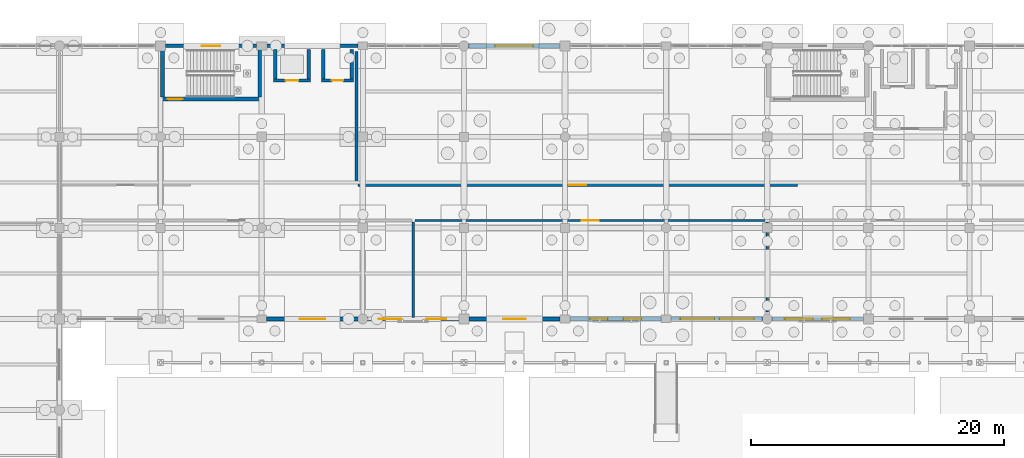
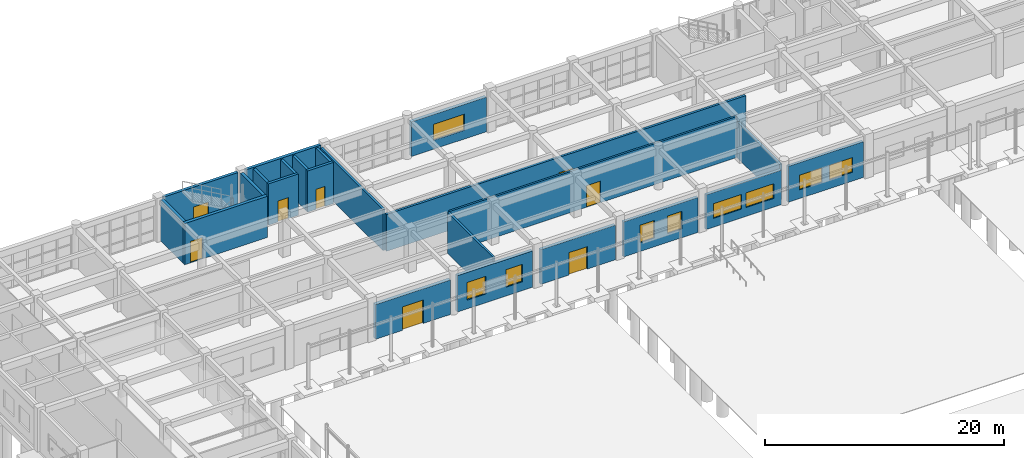
# One storey, part 136 of 166: 23 walls, 9 windows, 8 doors, 17 openings.
"""IFC4 building model written with IfcOpenShell, lengths in metres."""

from ifc_helpers import new_model, si_unit, direction, frame, frame_2d, origin, place, context, subcontext, project, spatial, rectangle, extrude, material, layer, layer_set, type_object, element, fill, save


model = new_model("IFC4")

# Units and contexts
model_context = context("Model", 3, precision=1e-05, world=origin(), true_north=direction((0.0, 1.0)))
body_context = subcontext(model_context, "Body", "Model", "MODEL_VIEW")
ifc_project = project(units=[si_unit("LENGTHUNIT", "METRE"), si_unit("AREAUNIT", "SQUARE_METRE"), si_unit("VOLUMEUNIT", "CUBIC_METRE"), si_unit("PLANEANGLEUNIT", "RADIAN"), si_unit("MASSUNIT", "GRAM", prefix="KILO")], contexts=[model_context])

# Site, building, storey
site_placement = place(None, origin())
site = spatial("IfcSite", under=ifc_project, at=site_placement, CompositionType="ELEMENT")
building_placement = place(site_placement, origin())
building = spatial("IfcBuilding", under=site, at=building_placement, Name="Kharva Crest Polytechnic", CompositionType="ELEMENT")
storey_placement = place(building_placement, origin())
storey = spatial("IfcBuildingStorey", under=building, at=storey_placement, Name="L00", CompositionType="ELEMENT", Elevation=0.0)

# Wall, opening, door
ifc_material_1 = material(Name="Concrete C40/50", Category="concrete")
ifc_layer_1 = layer(ifc_material_1, 0.300048828125, Name="Concrete C40/50")
ifc_layer_set_1 = layer_set([ifc_layer_1], Name="Concrete C40/50")
wall_type_1 = type_object("IfcWallType", Name="WL-CORE-CW2-300", PredefinedType="SHEAR", material=ifc_layer_set_1)
wall_1_placement = place(storey_placement, frame((56.0, 117.7900390625, 0.0), z_axis=(0.0, 0.0, 1.0), x_axis=(1.0, 0.0, 0.0)))
wall_1 = element("IfcWall", 1, at=wall_1_placement, inside=storey, type_object=wall_type_1, Name="L00 North-West Lab Core C3 South Shear Wall", PredefinedType="SHEAR", context=body_context, shape_type="SweptSolid", body=[
    extrude(rectangle(XDim=8.0, YDim=0.300048828125, at=frame_2d((4.0, 0.0))), origin(), (0.0, 0.0, 1.0), 4.219970703125),
])
opening_1_placement = place(wall_1_placement, frame((0.550048828125, 0.0, 0.0)))
opening_1 = element("IfcOpeningElement", 2, at=opening_1_placement, cuts=wall_1, Name="Opening FD1", PredefinedType="OPENING", context=body_context, shape_type="SweptSolid", body=[
    extrude(rectangle(XDim=1.199951171875, YDim=2.199951171875, at=frame_2d((0.60009765625, 1.10009765625))), frame((0.0, 0.159912109375, 0.0), z_axis=(0.0, -1.0, 0.0), x_axis=(1.0, 0.0, 0.0)), (0.0, 0.0, 1.0), 0.320068359375),
])
ifc_material_2 = material(Name="Teak timber", Category="wood")
door_type_1 = type_object("IfcDoorType", Name="DR-STAIR-1200X2200", OperationType="NOTDEFINED", PredefinedType="DOOR", material=ifc_material_2)
door_1_placement = place(opening_1_placement, origin())
door_1 = element("IfcDoor", 3, at=door_1_placement, inside=storey, type_object=door_type_1, Name="L00 ST-03 Stair Door", OperationType="SINGLE_SWING_LEFT", OverallHeight=2.199951171875, OverallWidth=1.199951171875, PredefinedType="DOOR", context=body_context, shape_type="SweptSolid", body=[
    extrude(rectangle(XDim=1.199951171875, YDim=2.199951171875, at=frame_2d((0.60009765625, 1.10009765625))), frame((0.0, 0.02490234375, 0.0), z_axis=(0.0, -1.0, 0.0), x_axis=(1.0, 0.0, 0.0)), (0.0, 0.0, 1.0), 0.050048828125),
])
fill(opening_1, door_1)

# Walls
for number, where, z_axis, x_axis, name in (
    (4, (56.14990234375, 117.93994140625, 0.0), (0.0, 0.0, 1.0), (0.0, 1.0, 0.0), "L00 North-West Lab Core C3 West Shear Wall"),
    (5, (63.85009765625, 117.93994140625, 0.0), (0.0, 0.0, 1.0), (0.0, 1.0, 0.0), "L00 North-West Lab Core C3 East Shear Wall"),
):
    element("IfcWall", number, at=place(storey_placement, frame(where, z_axis=z_axis, x_axis=x_axis)), inside=storey, type_object=wall_type_1, Name=name, PredefinedType="SHEAR", context=body_context, shape_type="SweptSolid", body=[
        extrude(rectangle(XDim=3.760009765625, YDim=0.300048828125, at=frame_2d((1.8798828125, 0.0))), origin(), (0.0, 0.0, 1.0), 4.219970703125),
    ])

# Wall, openings, windows
ifc_material_3 = material(Name="Kiln brick masonry", Category="masonry")
ifc_layer_2 = layer(ifc_material_3, 0.260009765625, Name="Kiln brick masonry")
ifc_layer_set_2 = layer_set([ifc_layer_2], Name="Kiln brick masonry")
wall_type_2 = type_object("IfcWallType", Name="WL-EXT-BRK-260", PredefinedType="SOLIDWALL", material=ifc_layer_set_2)
wall_2_placement = place(storey_placement, frame((104.3359375, 100.39990234375, 0.0), z_axis=(0.0, 0.0, 1.0), x_axis=(1.0, 0.0, 0.0)))
wall_2 = element("IfcWall", 6, at=wall_2_placement, inside=storey, type_object=wall_type_2, Name="L00 Exterior Brick Wall 87", PredefinedType="SOLIDWALL", context=body_context, shape_type="SweptSolid", body=[
    extrude(rectangle(XDim=7.26904296875, YDim=0.260009765625, at=frame_2d((3.634521484375, 0.0))), origin(), (0.0, 0.0, 1.0), 3.669921875),
])
opening_2_placement = place(wall_2_placement, frame((1.06298828125, 0.0, 0.89990234375)))
opening_2 = element("IfcOpeningElement", 7, at=opening_2_placement, cuts=wall_2, Name="Opening W11", PredefinedType="OPENING", context=body_context, shape_type="SweptSolid", body=[
    extrude(rectangle(XDim=2.199951171875, YDim=1.5, at=frame_2d((1.10009765625, 0.75))), frame((0.0, 0.139892578125, 0.0), z_axis=(0.0, -1.0, 0.0), x_axis=(1.0, 0.0, 0.0)), (0.0, 0.0, 1.0), 0.280029296875),
])
opening_3_placement = place(wall_2_placement, frame((4.006103515625, 0.0, 0.89990234375)))
opening_3 = element("IfcOpeningElement", 8, at=opening_3_placement, cuts=wall_2, Name="Opening W11", PredefinedType="OPENING", context=body_context, shape_type="SweptSolid", body=[
    extrude(rectangle(XDim=2.199951171875, YDim=1.5, at=frame_2d((1.10009765625, 0.75))), frame((0.0, 0.139892578125, 0.0), z_axis=(0.0, -1.0, 0.0), x_axis=(1.0, 0.0, 0.0)), (0.0, 0.0, 1.0), 0.280029296875),
])
ifc_material_4 = material(Name="Anodised aluminium", Category="aluminium")
window_type_1 = type_object("IfcWindowType", Name="WIN-ALU-2200X1500", PartitioningType="SINGLE_PANEL", PredefinedType="WINDOW", material=ifc_material_4)
window_1_placement = place(opening_2_placement, origin())
window_1 = element("IfcWindow", 9, at=window_1_placement, inside=storey, type_object=window_type_1, Name="L00 Exterior Window 106", OverallHeight=1.5, OverallWidth=2.199951171875, PartitioningType="SINGLE_PANEL", PredefinedType="WINDOW", context=body_context, shape_type="SweptSolid", body=[
    extrude(rectangle(XDim=2.199951171875, YDim=1.5, at=frame_2d((1.10009765625, 0.75))), frame((0.0, 0.030029296875, 0.0), z_axis=(0.0, -1.0, 0.0), x_axis=(1.0, 0.0, 0.0)), (0.0, 0.0, 1.0), 0.06005859375),
])
fill(opening_2, window_1)
window_2_placement = place(opening_3_placement, origin())
window_2 = element("IfcWindow", 10, at=window_2_placement, inside=storey, type_object=window_type_1, Name="L00 Exterior Window 107", OverallHeight=1.5, OverallWidth=2.199951171875, PartitioningType="SINGLE_PANEL", PredefinedType="WINDOW", context=body_context, shape_type="SweptSolid", body=[
    extrude(rectangle(XDim=2.199951171875, YDim=1.5, at=frame_2d((1.10009765625, 0.75))), frame((0.0, 0.030029296875, 0.0), z_axis=(0.0, -1.0, 0.0), x_axis=(1.0, 0.0, 0.0)), (0.0, 0.0, 1.0), 0.06005859375),
])
fill(opening_3, window_2)

ifc_layer_3 = layer(ifc_material_3, 0.27490234375, Name="Kiln brick masonry")
ifc_layer_set_3 = layer_set([ifc_layer_3], Name="Kiln brick masonry")
wall_type_3 = type_object("IfcWallType", Name="WL-EXT-BRK-275", PredefinedType="SOLIDWALL", material=ifc_layer_set_3)
wall_3_placement = place(storey_placement, frame((96.385009765625, 100.39990234375, 0.0), z_axis=(0.0, 0.0, 1.0), x_axis=(1.0, 0.0, 0.0)))
wall_3 = element("IfcWall", 11, at=wall_3_placement, inside=storey, type_object=wall_type_3, Name="L00 Exterior Brick Wall 86", PredefinedType="SOLIDWALL", context=body_context, shape_type="SweptSolid", body=[
    extrude(rectangle(XDim=7.279052734375, YDim=0.27490234375, at=frame_2d((3.6396484375, 0.0))), origin(), (0.0, 0.0, 1.0), 3.5400390625),
])
opening_4_placement = place(wall_3_placement, frame((0.73291015625, 0.0, 0.89990234375)))
opening_4 = element("IfcOpeningElement", 12, at=opening_4_placement, cuts=wall_3, Name="Opening W09", PredefinedType="OPENING", context=body_context, shape_type="SweptSolid", body=[
    extrude(rectangle(XDim=2.699951171875, YDim=1.5, at=frame_2d((1.35009765625, 0.75))), frame((0.0, 0.1474609375, 0.0), z_axis=(0.0, -1.0, 0.0), x_axis=(1.0, 0.0, 0.0)), (0.0, 0.0, 1.0), 0.294921875),
])
opening_5_placement = place(wall_3_placement, frame((3.845947265625, 0.0, 0.89990234375)))
opening_5 = element("IfcOpeningElement", 13, at=opening_5_placement, cuts=wall_3, Name="Opening W09", PredefinedType="OPENING", context=body_context, shape_type="SweptSolid", body=[
    extrude(rectangle(XDim=2.699951171875, YDim=1.5, at=frame_2d((1.35009765625, 0.75))), frame((0.0, 0.1474609375, 0.0), z_axis=(0.0, -1.0, 0.0), x_axis=(1.0, 0.0, 0.0)), (0.0, 0.0, 1.0), 0.294921875),
])
window_type_2 = type_object("IfcWindowType", Name="WIN-ALU-2700X1500", PartitioningType="SINGLE_PANEL", PredefinedType="WINDOW", material=ifc_material_4)
window_3_placement = place(opening_4_placement, origin())
window_3 = element("IfcWindow", 14, at=window_3_placement, inside=storey, type_object=window_type_2, Name="L00 Exterior Window 104", OverallHeight=1.5, OverallWidth=2.699951171875, PartitioningType="SINGLE_PANEL", PredefinedType="WINDOW", context=body_context, shape_type="SweptSolid", body=[
    extrude(rectangle(XDim=2.699951171875, YDim=1.5, at=frame_2d((1.35009765625, 0.75))), frame((0.0, 0.030029296875, 0.0), z_axis=(0.0, -1.0, 0.0), x_axis=(1.0, 0.0, 0.0)), (0.0, 0.0, 1.0), 0.06005859375),
])
fill(opening_4, window_3)
window_4_placement = place(opening_5_placement, origin())
window_4 = element("IfcWindow", 15, at=window_4_placement, inside=storey, type_object=window_type_2, Name="L00 Exterior Window 105", OverallHeight=1.5, OverallWidth=2.699951171875, PartitioningType="SINGLE_PANEL", PredefinedType="WINDOW", context=body_context, shape_type="SweptSolid", body=[
    extrude(rectangle(XDim=2.699951171875, YDim=1.5, at=frame_2d((1.35009765625, 0.75))), frame((0.0, 0.030029296875, 0.0), z_axis=(0.0, -1.0, 0.0), x_axis=(1.0, 0.0, 0.0)), (0.0, 0.0, 1.0), 0.06005859375),
])
fill(opening_5, window_4)

# Wall, opening, door
wall_4_placement = place(storey_placement, frame((63.60498046875, 122.0, 0.0), z_axis=(0.0, 0.0, 1.0), x_axis=(-1.0, 0.0, 0.0)))
wall_4 = element("IfcWall", 16, at=wall_4_placement, inside=storey, type_object=wall_type_3, Name="L00 Exterior Brick Wall 116", PredefinedType="SOLIDWALL", context=body_context, shape_type="SweptSolid", body=[
    extrude(rectangle(XDim=7.2099609375, YDim=0.27490234375, at=frame_2d((3.60498046875, 0.0))), origin(), (0.0, 0.0, 1.0), 4.219970703125),
])
opening_6_placement = place(wall_4_placement, frame((2.8798828125, 0.0, 0.0)))
opening_6 = element("IfcOpeningElement", 17, at=opening_6_placement, cuts=wall_4, Name="Opening ED5", PredefinedType="OPENING", context=body_context, shape_type="SweptSolid", body=[
    extrude(rectangle(XDim=1.449951171875, YDim=2.199951171875, at=frame_2d((0.72509765625, 1.10009765625))), frame((0.0, 0.1474609375, 0.0), z_axis=(0.0, -1.0, 0.0), x_axis=(1.0, 0.0, 0.0)), (0.0, 0.0, 1.0), 0.294921875),
])
door_type_2 = type_object("IfcDoorType", Name="DR-EXT-ESC-1450X2200", OperationType="NOTDEFINED", PredefinedType="DOOR", material=ifc_material_4)
door_2_placement = place(opening_6_placement, frame((1.449951171875, 0.0, 0.0), z_axis=(0.0, 0.0, 1.0), x_axis=(-1.0, 0.0, 0.0)))
door_2 = element("IfcDoor", 18, at=door_2_placement, inside=storey, type_object=door_type_2, Name="L00 Core C3 Final Exit Door", OperationType="SINGLE_SWING_LEFT", OverallHeight=2.199951171875, OverallWidth=1.449951171875, PredefinedType="DOOR", context=body_context, shape_type="SweptSolid", body=[
    extrude(rectangle(XDim=1.449951171875, YDim=2.199951171875, at=frame_2d((0.72509765625, 1.10009765625))), frame((0.0, 0.02490234375, 0.0), z_axis=(0.0, -1.0, 0.0), x_axis=(1.0, 0.0, 0.0)), (0.0, 0.0, 1.0), 0.050048828125),
])
fill(opening_6, door_2)

# Wall, openings, windows
ifc_layer_4 = layer(ifc_material_3, 0.2900390625, Name="Kiln brick masonry")
ifc_layer_set_4 = layer_set([ifc_layer_4], Name="Kiln brick masonry")
wall_type_4 = type_object("IfcWallType", Name="WL-EXT-BRK-290", PredefinedType="SOLIDWALL", material=ifc_layer_set_4)
wall_5_placement = place(storey_placement, frame((88.39501953125, 100.39990234375, 0.0), z_axis=(0.0, 0.0, 1.0), x_axis=(1.0, 0.0, 0.0)))
wall_5 = element("IfcWall", 19, at=wall_5_placement, inside=storey, type_object=wall_type_4, Name="L00 Exterior Brick Wall 85", PredefinedType="SOLIDWALL", context=body_context, shape_type="SweptSolid", body=[
    extrude(rectangle(XDim=7.219970703125, YDim=0.2900390625, at=frame_2d((3.60986328125, 0.0))), origin(), (0.0, 0.0, 1.0), 3.570068359375),
])
opening_7_placement = place(wall_5_placement, frame((1.580078125, 0.0, 0.89990234375)))
opening_7 = element("IfcOpeningElement", 20, at=opening_7_placement, cuts=wall_5, Name="Opening W07", PredefinedType="OPENING", context=body_context, shape_type="SweptSolid", body=[
    extrude(rectangle(XDim=1.39990234375, YDim=1.800048828125, at=frame_2d((0.699951171875, 0.89990234375))), frame((0.0, 0.155029296875, 0.0), z_axis=(0.0, -1.0, 0.0), x_axis=(1.0, 0.0, 0.0)), (0.0, 0.0, 1.0), 0.31005859375),
])
opening_8_placement = place(wall_5_placement, frame((4.239990234375, 0.0, 0.89990234375)))
opening_8 = element("IfcOpeningElement", 21, at=opening_8_placement, cuts=wall_5, Name="Opening W07", PredefinedType="OPENING", context=body_context, shape_type="SweptSolid", body=[
    extrude(rectangle(XDim=1.39990234375, YDim=1.800048828125, at=frame_2d((0.699951171875, 0.89990234375))), frame((0.0, 0.155029296875, 0.0), z_axis=(0.0, -1.0, 0.0), x_axis=(1.0, 0.0, 0.0)), (0.0, 0.0, 1.0), 0.31005859375),
])
window_type_3 = type_object("IfcWindowType", Name="WIN-ALU-1400X1800", PartitioningType="SINGLE_PANEL", PredefinedType="WINDOW", material=ifc_material_4)
window_5_placement = place(opening_7_placement, origin())
window_5 = element("IfcWindow", 22, at=window_5_placement, inside=storey, type_object=window_type_3, Name="L00 Exterior Window 102", OverallHeight=1.800048828125, OverallWidth=1.39990234375, PartitioningType="SINGLE_PANEL", PredefinedType="WINDOW", context=body_context, shape_type="SweptSolid", body=[
    extrude(rectangle(XDim=1.39990234375, YDim=1.800048828125, at=frame_2d((0.699951171875, 0.89990234375))), frame((0.0, 0.030029296875, 0.0), z_axis=(0.0, -1.0, 0.0), x_axis=(1.0, 0.0, 0.0)), (0.0, 0.0, 1.0), 0.06005859375),
])
fill(opening_7, window_5)
window_6_placement = place(opening_8_placement, origin())
window_6 = element("IfcWindow", 23, at=window_6_placement, inside=storey, type_object=window_type_3, Name="L00 Exterior Window 103", OverallHeight=1.800048828125, OverallWidth=1.39990234375, PartitioningType="SINGLE_PANEL", PredefinedType="WINDOW", context=body_context, shape_type="SweptSolid", body=[
    extrude(rectangle(XDim=1.39990234375, YDim=1.800048828125, at=frame_2d((0.699951171875, 0.89990234375))), frame((0.0, 0.030029296875, 0.0), z_axis=(0.0, -1.0, 0.0), x_axis=(1.0, 0.0, 0.0)), (0.0, 0.0, 1.0), 0.06005859375),
])
fill(opening_8, window_6)

# Wall
wall_6_placement = place(storey_placement, frame((71.614990234375, 122.0, 0.0), z_axis=(0.0, 0.0, 1.0), x_axis=(-1.0, 0.0, 0.0)))
element("IfcWall", 24, at=wall_6_placement, inside=storey, type_object=wall_type_4, Name="L00 Exterior Brick Wall 115", PredefinedType="SOLIDWALL", context=body_context, shape_type="SweptSolid", body=[
    extrude(rectangle(XDim=7.219970703125, YDim=0.2900390625, at=frame_2d((3.60986328125, 0.0))), origin(), (0.0, 0.0, 1.0), 4.219970703125),
])

# Wall, opening, door
ifc_layer_5 = layer(ifc_material_3, 0.304931640625, Name="Kiln brick masonry")
ifc_layer_set_5 = layer_set([ifc_layer_5], Name="Kiln brick masonry")
wall_type_5 = type_object("IfcWallType", Name="WL-EXT-BRK-305", PredefinedType="SOLIDWALL", material=ifc_layer_set_5)
wall_7_placement = place(storey_placement, frame((80.39501953125, 100.39990234375, 0.0), z_axis=(0.0, 0.0, 1.0), x_axis=(1.0, 0.0, 0.0)))
wall_7 = element("IfcWall", 25, at=wall_7_placement, inside=storey, type_object=wall_type_5, Name="L00 Exterior Brick Wall 84", PredefinedType="SOLIDWALL", context=body_context, shape_type="SweptSolid", body=[
    extrude(rectangle(XDim=7.2099609375, YDim=0.304931640625, at=frame_2d((3.60498046875, 0.0))), origin(), (0.0, 0.0, 1.0), 3.5400390625),
])
opening_9_placement = place(wall_7_placement, frame((2.705078125, 0.0, 0.0)))
opening_9 = element("IfcOpeningElement", 26, at=opening_9_placement, cuts=wall_7, Name="Opening ED4", PredefinedType="OPENING", context=body_context, shape_type="SweptSolid", body=[
    extrude(rectangle(XDim=1.800048828125, YDim=2.300048828125, at=frame_2d((0.89990234375, 1.14990234375))), frame((0.0, 0.162353515625, 0.0), z_axis=(0.0, -1.0, 0.0), x_axis=(1.0, 0.0, 0.0)), (0.0, 0.0, 1.0), 0.324951171875),
])
door_type_3 = type_object("IfcDoorType", Name="DR-EXT-DBL-1800X2300", OperationType="NOTDEFINED", PredefinedType="DOOR", material=ifc_material_4)
door_3_placement = place(opening_9_placement, frame((1.800048828125, 0.0, 0.0), z_axis=(0.0, 0.0, 1.0), x_axis=(-1.0, 0.0, 0.0)))
door_3 = element("IfcDoor", 27, at=door_3_placement, inside=storey, type_object=door_type_3, Name="L00 Campus Entrance Door 19", OperationType="DOUBLE_DOOR_SINGLE_SWING", OverallHeight=2.300048828125, OverallWidth=1.800048828125, PredefinedType="DOOR", context=body_context, shape_type="SweptSolid", body=[
    extrude(rectangle(XDim=1.800048828125, YDim=2.300048828125, at=frame_2d((0.89990234375, 1.14990234375))), frame((0.0, 0.02490234375, 0.0), z_axis=(0.0, -1.0, 0.0), x_axis=(1.0, 0.0, 0.0)), (0.0, 0.0, 1.0), 0.050048828125),
])
fill(opening_9, door_3)

# Wall, openings, windows
ifc_layer_6 = layer(ifc_material_3, 0.320068359375, Name="Kiln brick masonry")
ifc_layer_set_6 = layer_set([ifc_layer_6], Name="Kiln brick masonry")
wall_type_6 = type_object("IfcWallType", Name="WL-EXT-BRK-320", PredefinedType="SOLIDWALL", material=ifc_layer_set_6)
wall_8_placement = place(storey_placement, frame((72.3359375, 100.39990234375, 0.0), z_axis=(0.0, 0.0, 1.0), x_axis=(1.0, 0.0, 0.0)))
wall_8 = element("IfcWall", 28, at=wall_8_placement, inside=storey, type_object=wall_type_6, Name="L00 Exterior Brick Wall 83", PredefinedType="SOLIDWALL", context=body_context, shape_type="SweptSolid", body=[
    extrude(rectangle(XDim=7.26904296875, YDim=0.320068359375, at=frame_2d((3.634521484375, 0.0))), origin(), (0.0, 0.0, 1.0), 3.719970703125),
])
opening_10_placement = place(wall_8_placement, frame((0.931884765625, 0.0, 0.89990234375)))
opening_10 = element("IfcOpeningElement", 29, at=opening_10_placement, cuts=wall_8, Name="Opening W05", PredefinedType="OPENING", context=body_context, shape_type="SweptSolid", body=[
    extrude(rectangle(XDim=1.800048828125, YDim=1.800048828125, at=frame_2d((0.89990234375, 0.89990234375))), frame((0.0, 0.169921875, 0.0), z_axis=(0.0, -1.0, 0.0), x_axis=(1.0, 0.0, 0.0)), (0.0, 0.0, 1.0), 0.340087890625),
])
opening_11_placement = place(wall_8_placement, frame((4.6669921875, 0.0, 0.89990234375)))
opening_11 = element("IfcOpeningElement", 30, at=opening_11_placement, cuts=wall_8, Name="Opening W06", PredefinedType="OPENING", context=body_context, shape_type="SweptSolid", body=[
    extrude(rectangle(XDim=1.60009765625, YDim=1.800048828125, at=frame_2d((0.800048828125, 0.89990234375))), frame((0.0, 0.169921875, 0.0), z_axis=(0.0, -1.0, 0.0), x_axis=(1.0, 0.0, 0.0)), (0.0, 0.0, 1.0), 0.340087890625),
])
window_type_4 = type_object("IfcWindowType", Name="WIN-ALU-1600X1800", PartitioningType="SINGLE_PANEL", PredefinedType="WINDOW", material=ifc_material_4)
window_7_placement = place(opening_11_placement, origin())
window_7 = element("IfcWindow", 31, at=window_7_placement, inside=storey, type_object=window_type_4, Name="L00 Exterior Window 101", OverallHeight=1.800048828125, OverallWidth=1.60009765625, PartitioningType="SINGLE_PANEL", PredefinedType="WINDOW", context=body_context, shape_type="SweptSolid", body=[
    extrude(rectangle(XDim=1.60009765625, YDim=1.800048828125, at=frame_2d((0.800048828125, 0.89990234375))), frame((0.0, 0.030029296875, 0.0), z_axis=(0.0, -1.0, 0.0), x_axis=(1.0, 0.0, 0.0)), (0.0, 0.0, 1.0), 0.06005859375),
])
fill(opening_11, window_7)
window_type_5 = type_object("IfcWindowType", Name="WIN-ALU-1800X1800", PartitioningType="SINGLE_PANEL", PredefinedType="WINDOW", material=ifc_material_4)
window_8_placement = place(opening_10_placement, origin())
window_8 = element("IfcWindow", 32, at=window_8_placement, inside=storey, type_object=window_type_5, Name="L00 Exterior Window 100", OverallHeight=1.800048828125, OverallWidth=1.800048828125, PartitioningType="SINGLE_PANEL", PredefinedType="WINDOW", context=body_context, shape_type="SweptSolid", body=[
    extrude(rectangle(XDim=1.800048828125, YDim=1.800048828125, at=frame_2d((0.89990234375, 0.89990234375))), frame((0.0, 0.030029296875, 0.0), z_axis=(0.0, -1.0, 0.0), x_axis=(1.0, 0.0, 0.0)), (0.0, 0.0, 1.0), 0.06005859375),
])
fill(opening_10, window_8)

# Wall, opening, window
wall_9_placement = place(storey_placement, frame((87.60498046875, 122.0, 0.0), z_axis=(0.0, 0.0, 1.0), x_axis=(-1.0, 0.0, 0.0)))
wall_9 = element("IfcWall", 33, at=wall_9_placement, inside=storey, type_object=wall_type_6, Name="L00 Exterior Brick Wall 114", PredefinedType="SOLIDWALL", context=body_context, shape_type="SweptSolid", body=[
    extrude(rectangle(XDim=7.26904296875, YDim=0.320068359375, at=frame_2d((3.634521484375, 0.0))), origin(), (0.0, 0.0, 1.0), 3.5400390625),
])
opening_12_placement = place(wall_9_placement, frame((2.135009765625, 0.0, 0.89990234375)))
opening_12 = element("IfcOpeningElement", 34, at=opening_12_placement, cuts=wall_9, Name="Opening W23", PredefinedType="OPENING", context=body_context, shape_type="SweptSolid", body=[
    extrude(rectangle(XDim=3.0, YDim=1.64990234375, at=frame_2d((1.5, 0.824951171875))), frame((0.0, 0.169921875, 0.0), z_axis=(0.0, -1.0, 0.0), x_axis=(1.0, 0.0, 0.0)), (0.0, 0.0, 1.0), 0.340087890625),
])
window_type_6 = type_object("IfcWindowType", Name="WIN-ALU-3000X1650", PartitioningType="SINGLE_PANEL", PredefinedType="WINDOW", material=ifc_material_4)
window_9_placement = place(opening_12_placement, origin())
window_9 = element("IfcWindow", 35, at=window_9_placement, inside=storey, type_object=window_type_6, Name="L00 Exterior Window 142", OverallHeight=1.64990234375, OverallWidth=3.0, PartitioningType="SINGLE_PANEL", PredefinedType="WINDOW", context=body_context, shape_type="SweptSolid", body=[
    extrude(rectangle(XDim=3.0, YDim=1.64990234375, at=frame_2d((1.5, 0.824951171875))), frame((0.0, 0.030029296875, 0.0), z_axis=(0.0, -1.0, 0.0), x_axis=(1.0, 0.0, 0.0)), (0.0, 0.0, 1.0), 0.06005859375),
])
fill(opening_12, window_9)

# Wall, opening, door
ifc_layer_7 = layer(ifc_material_3, 0.3349609375, Name="Kiln brick masonry")
ifc_layer_set_7 = layer_set([ifc_layer_7], Name="Kiln brick masonry")
wall_type_7 = type_object("IfcWallType", Name="WL-EXT-BRK-335", PredefinedType="SOLIDWALL", material=ifc_layer_set_7)
wall_10_placement = place(storey_placement, frame((64.385009765625, 100.39990234375, 0.0), z_axis=(0.0, 0.0, 1.0), x_axis=(1.0, 0.0, 0.0)))
wall_10 = element("IfcWall", 36, at=wall_10_placement, inside=storey, type_object=wall_type_7, Name="L00 Exterior Brick Wall 82", PredefinedType="SOLIDWALL", context=body_context, shape_type="SweptSolid", body=[
    extrude(rectangle(XDim=7.279052734375, YDim=0.3349609375, at=frame_2d((3.6396484375, 0.0))), origin(), (0.0, 0.0, 1.0), 3.5400390625),
])
opening_13_placement = place(wall_10_placement, frame((2.638916015625, 0.0, 0.0)))
opening_13 = element("IfcOpeningElement", 37, at=opening_13_placement, cuts=wall_10, Name="Opening ED2", PredefinedType="OPENING", context=body_context, shape_type="SweptSolid", body=[
    extrude(rectangle(XDim=2.0, YDim=2.39990234375, at=frame_2d((1.0, 1.199951171875))), frame((0.0, 0.177490234375, 0.0), z_axis=(0.0, -1.0, 0.0), x_axis=(1.0, 0.0, 0.0)), (0.0, 0.0, 1.0), 0.35498046875),
])
door_type_4 = type_object("IfcDoorType", Name="DR-EXT-DBL-2000X2400", OperationType="NOTDEFINED", PredefinedType="DOOR", material=ifc_material_4)
door_4_placement = place(opening_13_placement, frame((2.0, 0.0, 0.0), z_axis=(0.0, 0.0, 1.0), x_axis=(-1.0, 0.0, 0.0)))
door_4 = element("IfcDoor", 38, at=door_4_placement, inside=storey, type_object=door_type_4, Name="L00 VER_N_L00 Access Door 18", OperationType="DOUBLE_DOOR_SINGLE_SWING", OverallHeight=2.39990234375, OverallWidth=2.0, PredefinedType="DOOR", context=body_context, shape_type="SweptSolid", body=[
    extrude(rectangle(XDim=2.0, YDim=2.39990234375, at=frame_2d((1.0, 1.199951171875))), frame((0.0, 0.02490234375, 0.0), z_axis=(0.0, -1.0, 0.0), x_axis=(1.0, 0.0, 0.0)), (0.0, 0.0, 1.0), 0.050048828125),
])
fill(opening_13, door_4)

ifc_layer_8 = layer(ifc_material_3, 0.18994140625, Name="Kiln brick masonry")
ifc_layer_set_8 = layer_set([ifc_layer_8], Name="Kiln brick masonry")
wall_type_8 = type_object("IfcWallType", Name="WL-PART-190", PredefinedType="PARTITIONING", material=ifc_layer_set_8)
wall_11_placement = place(storey_placement, frame((76.1201171875, 108.18994140625, 0.0), z_axis=(0.0, 0.0, 1.0), x_axis=(1.0, 0.0, 0.0)))
wall_11 = element("IfcWall", 39, at=wall_11_placement, inside=storey, type_object=wall_type_8, Name="L00 Interior Partition 91", PredefinedType="PARTITIONING", context=body_context, shape_type="SweptSolid", body=[
    extrude(rectangle(XDim=27.769775390625, YDim=0.18994140625, at=frame_2d((13.884765625, 0.0))), origin(), (0.0, 0.0, 1.0), 4.199951171875),
])
opening_14_placement = place(wall_11_placement, frame((13.2099609375, 0.0, 0.0)))
opening_14 = element("IfcOpeningElement", 40, at=opening_14_placement, cuts=wall_11, Name="Opening ID6", PredefinedType="OPENING", context=body_context, shape_type="SweptSolid", body=[
    extrude(rectangle(XDim=1.35009765625, YDim=2.199951171875, at=frame_2d((0.675048828125, 1.10009765625))), frame((0.0, 0.10498046875, 0.0), z_axis=(0.0, -1.0, 0.0), x_axis=(1.0, 0.0, 0.0)), (0.0, 0.0, 1.0), 0.2099609375),
])
door_type_5 = type_object("IfcDoorType", Name="DR-LAB-1350X2200", OperationType="NOTDEFINED", PredefinedType="DOOR", material=ifc_material_2)
door_5_placement = place(opening_14_placement, origin())
door_5 = element("IfcDoor", 41, at=door_5_placement, inside=storey, type_object=door_type_5, Name="L00 Concrete Materials Testing Laboratory Door", OperationType="SINGLE_SWING_LEFT", OverallHeight=2.199951171875, OverallWidth=1.35009765625, PredefinedType="DOOR", context=body_context, shape_type="SweptSolid", body=[
    extrude(rectangle(XDim=1.35009765625, YDim=2.199951171875, at=frame_2d((0.675048828125, 1.10009765625))), frame((0.0, 0.02490234375, 0.0), z_axis=(0.0, -1.0, 0.0), x_axis=(1.0, 0.0, 0.0)), (0.0, 0.0, 1.0), 0.050048828125),
])
fill(opening_14, door_5)

# Walls
ifc_layer_9 = layer(ifc_material_3, 0.205078125, Name="Kiln brick masonry")
ifc_layer_set_9 = layer_set([ifc_layer_9], Name="Kiln brick masonry")
wall_type_9 = type_object("IfcWallType", Name="WL-PART-205", PredefinedType="PARTITIONING", material=ifc_layer_set_9)
wall_12_placement = place(storey_placement, frame((76.0, 100.510009765625, 0.0), z_axis=(0.0, 0.0, 1.0), x_axis=(0.0, 1.0, 0.0)))
element("IfcWall", 42, at=wall_12_placement, inside=storey, type_object=wall_type_9, Name="L00 Interior Partition 90", PredefinedType="PARTITIONING", context=body_context, shape_type="SweptSolid", body=[
    extrude(rectangle(XDim=7.570068359375, YDim=0.205078125, at=frame_2d((3.78515625, 0.0))), origin(), (0.0, 0.0, 1.0), 4.199951171875),
])
ifc_layer_10 = layer(ifc_material_3, 0.215087890625, Name="Kiln brick masonry")
ifc_layer_set_10 = layer_set([ifc_layer_10], Name="Kiln brick masonry")
wall_type_10 = type_object("IfcWallType", Name="WL-PART-215", PredefinedType="PARTITIONING", material=ifc_layer_set_10)
wall_13_placement = place(storey_placement, frame((71.5, 111.1201171875, 0.0), z_axis=(0.0, 0.0, 1.0), x_axis=(0.0, 1.0, 0.0)))
element("IfcWall", 43, at=wall_13_placement, inside=storey, type_object=wall_type_10, Name="L00 Interior Partition 101", PredefinedType="PARTITIONING", context=body_context, shape_type="SweptSolid", body=[
    extrude(rectangle(XDim=10.449951171875, YDim=0.215087890625, at=frame_2d((5.22509765625, 0.0))), origin(), (0.0, 0.0, 1.0), 4.199951171875),
])
ifc_layer_11 = layer(ifc_material_3, 0.22509765625, Name="Kiln brick masonry")
ifc_layer_set_11 = layer_set([ifc_layer_11], Name="Kiln brick masonry")
wall_type_11 = type_object("IfcWallType", Name="WL-PART-225", PredefinedType="PARTITIONING", material=ifc_layer_set_11)
wall_14_placement = place(storey_placement, frame((104.0, 100.929931640625, 0.0), z_axis=(0.0, 0.0, 1.0), x_axis=(0.0, 1.0, 0.0)))
element("IfcWall", 44, at=wall_14_placement, inside=storey, type_object=wall_type_11, Name="L00 Interior Partition 92", PredefinedType="PARTITIONING", context=body_context, shape_type="SweptSolid", body=[
    extrude(rectangle(XDim=7.150146484375, YDim=0.22509765625, at=frame_2d((3.5751953125, 0.0))), origin(), (0.0, 0.0, 1.0), 3.639892578125),
])

# Wall, opening, door
wall_15_placement = place(storey_placement, frame((71.610107421875, 111.010009765625, 0.0), z_axis=(0.0, 0.0, 1.0), x_axis=(1.0, 0.0, 0.0)))
wall_15 = element("IfcWall", 45, at=wall_15_placement, inside=storey, type_object=wall_type_11, Name="L00 Interior Partition 100", PredefinedType="PARTITIONING", context=body_context, shape_type="SweptSolid", body=[
    extrude(rectangle(XDim=34.769775390625, YDim=0.22509765625, at=frame_2d((17.384765625, 0.0))), origin(), (0.0, 0.0, 1.0), 3.760009765625),
])
opening_15_placement = place(wall_15_placement, frame((16.7099609375, 0.0, 0.0)))
opening_15 = element("IfcOpeningElement", 46, at=opening_15_placement, cuts=wall_15, Name="Opening ID6", PredefinedType="OPENING", context=body_context, shape_type="SweptSolid", body=[
    extrude(rectangle(XDim=1.35009765625, YDim=2.199951171875, at=frame_2d((0.675048828125, 1.10009765625))), frame((0.0, 0.12255859375, 0.0), z_axis=(0.0, -1.0, 0.0), x_axis=(1.0, 0.0, 0.0)), (0.0, 0.0, 1.0), 0.2451171875),
])
door_6_placement = place(opening_15_placement, origin())
door_6 = element("IfcDoor", 47, at=door_6_placement, inside=storey, type_object=door_type_5, Name="L00 Polymer Chemistry Laboratory Door", OperationType="SINGLE_SWING_LEFT", OverallHeight=2.199951171875, OverallWidth=1.35009765625, PredefinedType="DOOR", context=body_context, shape_type="SweptSolid", body=[
    extrude(rectangle(XDim=1.35009765625, YDim=2.199951171875, at=frame_2d((0.675048828125, 1.10009765625))), frame((0.0, 0.02490234375, 0.0), z_axis=(0.0, -1.0, 0.0), x_axis=(1.0, 0.0, 0.0)), (0.0, 0.0, 1.0), 0.050048828125),
])
fill(opening_15, door_6)

ifc_layer_12 = layer(ifc_material_1, 0.25, Name="Concrete C40/50")
ifc_layer_set_12 = layer_set([ifc_layer_12], Name="Concrete C40/50")
wall_type_12 = type_object("IfcWallType", Name="WL-SHEAR-SW1-250", PredefinedType="SHEAR", material=ifc_layer_set_12)
wall_16_placement = place(storey_placement, frame((64.949951171875, 119.27490234375, 0.0), z_axis=(0.0, 0.0, 1.0), x_axis=(1.0, 0.0, 0.0)))
wall_16 = element("IfcWall", 48, at=wall_16_placement, inside=storey, type_object=wall_type_12, Name="L00 Lift PL3 South Shaft Wall", PredefinedType="SHEAR", context=body_context, shape_type="SweptSolid", body=[
    extrude(rectangle(XDim=2.900146484375, YDim=0.25, at=frame_2d((1.4501953125, 0.0))), origin(), (0.0, 0.0, 1.0), 4.219970703125),
])
opening_16_placement = place(wall_16_placement, frame((0.949951171875, 0.0, 0.0)))
opening_16 = element("IfcOpeningElement", 49, at=opening_16_placement, cuts=wall_16, Name="Opening LD2", PredefinedType="OPENING", context=body_context, shape_type="SweptSolid", body=[
    extrude(rectangle(XDim=1.0, YDim=2.14990234375, at=frame_2d((0.5, 1.074951171875))), frame((0.0, 0.135009765625, 0.0), z_axis=(0.0, -1.0, 0.0), x_axis=(1.0, 0.0, 0.0)), (0.0, 0.0, 1.0), 0.27001953125),
])
door_type_6 = type_object("IfcDoorType", Name="DR-LIFT-LD2-1000X2150", OperationType="SLIDING_TO_LEFT", PredefinedType="DOOR", material=ifc_material_4)
door_7_placement = place(opening_16_placement, origin())
door_7 = element("IfcDoor", 50, at=door_7_placement, inside=storey, type_object=door_type_6, Name="L00 Lift PL3 Sliding Landing Door", OperationType="SLIDING_TO_LEFT", OverallHeight=2.14990234375, OverallWidth=1.0, PredefinedType="DOOR", context=body_context, shape_type="SweptSolid", body=[
    extrude(rectangle(XDim=1.0, YDim=2.14990234375, at=frame_2d((0.5, 1.074951171875))), frame((0.0, 0.02490234375, 0.0), z_axis=(0.0, -1.0, 0.0), x_axis=(1.0, 0.0, 0.0)), (0.0, 0.0, 1.0), 0.050048828125),
])
fill(opening_16, door_7)

# Walls
for number, where, z_axis, x_axis, name in (
    (51, (65.074951171875, 119.39990234375, 0.0), (0.0, 0.0, 1.0), (0.0, 1.0, 0.0), "L00 Lift PL3 West Shaft Wall"),
    (52, (67.72509765625, 119.39990234375, 0.0), (0.0, 0.0, 1.0), (0.0, 1.0, 0.0), "L00 Lift PL3 East Shaft Wall"),
):
    element("IfcWall", number, at=place(storey_placement, frame(where, z_axis=z_axis, x_axis=x_axis)), inside=storey, type_object=wall_type_12, Name=name, PredefinedType="SHEAR", context=body_context, shape_type="SweptSolid", body=[
        extrude(rectangle(XDim=2.300048828125, YDim=0.25, at=frame_2d((1.14990234375, 0.0))), origin(), (0.0, 0.0, 1.0), 4.219970703125),
    ])

# Wall, opening, door
wall_17_placement = place(storey_placement, frame((68.75, 119.27490234375, 0.0), z_axis=(0.0, 0.0, 1.0), x_axis=(1.0, 0.0, 0.0)))
wall_17 = element("IfcWall", 53, at=wall_17_placement, inside=storey, type_object=wall_type_12, Name="L00 Core C3 Riser South Wall", PredefinedType="SHEAR", context=body_context, shape_type="SweptSolid", body=[
    extrude(rectangle(XDim=2.5, YDim=0.25, at=frame_2d((1.25, 0.0))), origin(), (0.0, 0.0, 1.0), 4.219970703125),
])
opening_17_placement = place(wall_17_placement, frame((0.800048828125, 0.0, 0.0)))
opening_17 = element("IfcOpeningElement", 54, at=opening_17_placement, cuts=wall_17, Name="Opening FD3", PredefinedType="OPENING", context=body_context, shape_type="SweptSolid", body=[
    extrude(rectangle(XDim=0.89990234375, YDim=2.050048828125, at=frame_2d((0.449951171875, 1.02490234375))), frame((0.0, 0.135009765625, 0.0), z_axis=(0.0, -1.0, 0.0), x_axis=(1.0, 0.0, 0.0)), (0.0, 0.0, 1.0), 0.27001953125),
])
door_type_7 = type_object("IfcDoorType", Name="DR-RISER-900X2050", OperationType="NOTDEFINED", PredefinedType="DOOR", material=ifc_material_4)
door_8_placement = place(opening_17_placement, origin())
door_8 = element("IfcDoor", 55, at=door_8_placement, inside=storey, type_object=door_type_7, Name="L00 Core C3 Riser Access Door", OperationType="SINGLE_SWING_RIGHT", OverallHeight=2.050048828125, OverallWidth=0.89990234375, PredefinedType="DOOR", context=body_context, shape_type="SweptSolid", body=[
    extrude(rectangle(XDim=0.89990234375, YDim=2.050048828125, at=frame_2d((0.449951171875, 1.02490234375))), frame((0.0, 0.02490234375, 0.0), z_axis=(0.0, -1.0, 0.0), x_axis=(1.0, 0.0, 0.0)), (0.0, 0.0, 1.0), 0.050048828125),
])
fill(opening_17, door_8)

# Walls
for number, where, z_axis, x_axis, name in (
    (56, (68.875, 119.39990234375, 0.0), (0.0, 0.0, 1.0), (0.0, 1.0, 0.0), "L00 Core C3 Riser West Wall"),
    (57, (71.125, 119.39990234375, 0.0), (0.0, 0.0, 1.0), (0.0, 1.0, 0.0), "L00 Core C3 Riser East Wall"),
):
    element("IfcWall", number, at=place(storey_placement, frame(where, z_axis=z_axis, x_axis=x_axis)), inside=storey, type_object=wall_type_12, Name=name, PredefinedType="SHEAR", context=body_context, shape_type="SweptSolid", body=[
        extrude(rectangle(XDim=2.300048828125, YDim=0.25, at=frame_2d((1.14990234375, 0.0))), origin(), (0.0, 0.0, 1.0), 4.219970703125),
    ])

save(model, "model.ifc")
